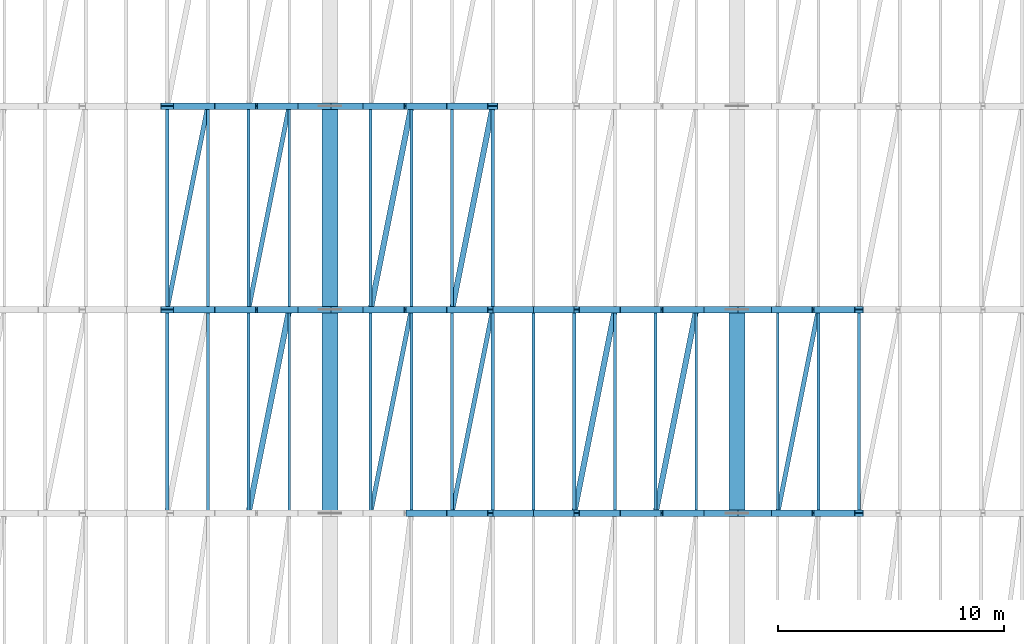
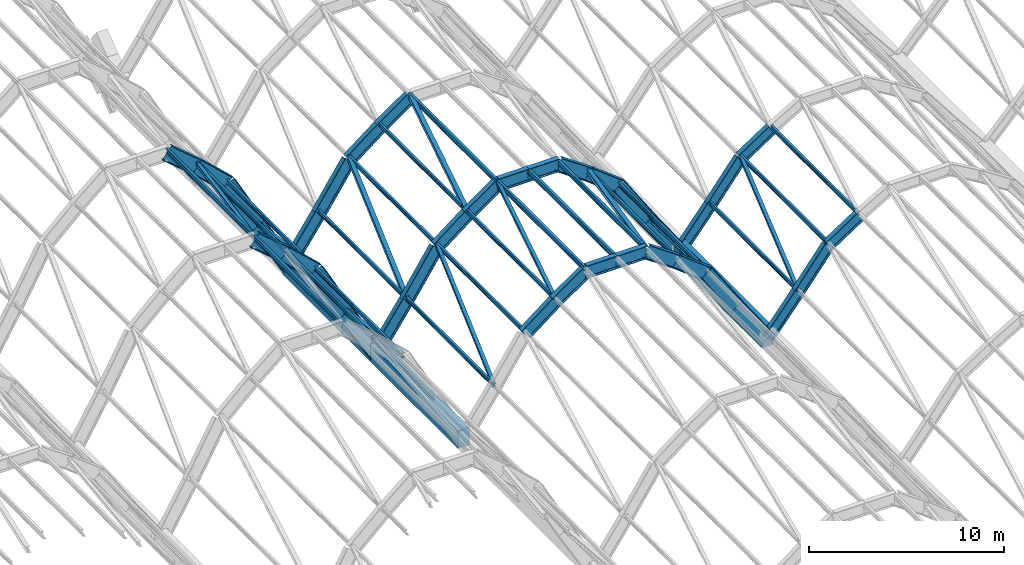
# One storey, part 23 of 86: 39 beams, 34 members.
"""IFC4 building model written with IfcOpenShell, lengths in metres."""

from ifc_helpers import new_model, si_unit, direction, frame, origin, origin_2d, place, context, subcontext, project, spatial, rectangle, i_section, extrude, material, material_profile, profile_set, type_object, element, save


model = new_model("IFC4")

# Units and contexts
model_context = context("Model", 3, precision=1e-05, world=origin(), true_north=direction((0.0, 1.0)))
body_context = subcontext(model_context, "Body", "Model", "MODEL_VIEW")
ifc_project = project(units=[si_unit("LENGTHUNIT", "METRE"), si_unit("AREAUNIT", "SQUARE_METRE"), si_unit("VOLUMEUNIT", "CUBIC_METRE"), si_unit("PLANEANGLEUNIT", "RADIAN"), si_unit("MASSUNIT", "GRAM", prefix="KILO")], contexts=[model_context])

# Site, building, storey
site_placement = place(None, origin())
site = spatial("IfcSite", under=ifc_project, at=site_placement, CompositionType="ELEMENT")
building_placement = place(site_placement, origin())
building = spatial("IfcBuilding", under=site, at=building_placement, Name="Chuanluo Vaults Station", CompositionType="ELEMENT")
storey_placement = place(building_placement, frame((0.0, 0.0, 14.39990234375)))
storey = spatial("IfcBuildingStorey", under=building, at=storey_placement, Name="L03", CompositionType="ELEMENT", Elevation=14.39990234375)

# Beams
ifc_material_1 = material(Name="Concrete C50", Category="concrete")
ifc_material_profile_1 = material_profile(ifc_material_1, rectangle(XDim=0.699951171875, YDim=1.10009765625, at=origin_2d()))
ifc_profile_set_1 = profile_set([ifc_material_profile_1], Name="Concrete C50")
beam_type_1 = type_object("IfcBeamType", Name="BM-VAL-RC", PredefinedType="USERDEFINED", material=ifc_profile_set_1)
for number, where, z_axis, x_axis, name in (
    (1, (72.0, 67.5, -0.7998046875), (0.0, 1.0, 0.0), (-1.0, 0.0, 0.0), "Vault springing valley beam X72-5"),
    (2, (72.0, 76.5, -0.7998046875), (0.0, 1.0, 0.0), (-1.0, 0.0, 0.0), "Vault springing valley beam X72-6"),
    (3, (90.0, 67.5, -0.7998046875), (0.0, 1.0, 0.0), (-1.0, 0.0, 0.0), "Vault springing valley beam X90-5"),
):
    element("IfcBeam", number, at=place(storey_placement, frame(where, z_axis=z_axis, x_axis=x_axis)), inside=storey, type_object=beam_type_1, Name=name, ObjectType="GIRDER", PredefinedType="USERDEFINED", context=body_context, shape_type="SweptSolid", body=[
        extrude(rectangle(XDim=0.699951171875, YDim=1.10009765625, at=origin_2d()), origin(), (0.0, 0.0, 1.0), 9.0),
    ])
ifc_material_2 = material(Name="Steel Q355C", Category="steel")
ifc_material_profile_2 = material_profile(ifc_material_2, i_section(OverallWidth=0.300048828125, OverallDepth=0.699951171875, WebThickness=0.012939453125, FlangeThickness=0.02392578125, FilletRadius=0.02392578125, at=origin_2d()))
ifc_profile_set_2 = profile_set([ifc_material_profile_2], Name="Steel Q355C")
beam_type_2 = type_object("IfcBeamType", Name="BM-VLT-700", PredefinedType="USERDEFINED", material=ifc_profile_set_2)
beam_1_placement = place(storey_placement, frame((90.0, 67.5, -0.7998046875), z_axis=(0.628190338877, 0.0, 0.778059700885), x_axis=(0.0, 1.0, 0.0)))
element("IfcBeam", 4, at=beam_1_placement, inside=storey, type_object=beam_type_2, Name="Vault V6 arch rib 5 chord 1", ObjectType="GIRDER", PredefinedType="USERDEFINED", context=body_context, shape_type="SweptSolid", body=[
    extrude(i_section(OverallWidth=0.300048828125, OverallDepth=0.699951171875, WebThickness=0.012939453125, FlangeThickness=0.02392578125, FilletRadius=0.02392578125, at=origin_2d()), origin(), (0.0, 0.0, 1.0), 2.865478515625),
])
beam_2_placement = place(storey_placement, frame((91.800048828125, 67.5, 1.4296875), z_axis=(0.613681275736, 0.0, 0.789553856182), x_axis=(0.0, 1.0, 0.0)))
element("IfcBeam", 5, at=beam_2_placement, inside=storey, type_object=beam_type_2, Name="Vault V6 arch rib 5 chord 2", ObjectType="GIRDER", PredefinedType="USERDEFINED", context=body_context, shape_type="SweptSolid", body=[
    extrude(i_section(OverallWidth=0.300048828125, OverallDepth=0.699951171875, WebThickness=0.012939453125, FlangeThickness=0.02392578125, FilletRadius=0.02392578125, at=origin_2d()), origin(), (0.0, 0.0, 1.0), 2.93310546875),
])
beam_3_placement = place(storey_placement, frame((93.60009765625, 67.5, 3.74560546875), z_axis=(0.836145448105, 0.0, 0.54850778446), x_axis=(0.0, 1.0, 0.0)))
element("IfcBeam", 6, at=beam_3_placement, inside=storey, type_object=beam_type_2, Name="Vault V6 arch rib 5 chord 3", ObjectType="GIRDER", PredefinedType="USERDEFINED", context=body_context, shape_type="SweptSolid", body=[
    extrude(i_section(OverallWidth=0.300048828125, OverallDepth=0.699951171875, WebThickness=0.012939453125, FlangeThickness=0.02392578125, FilletRadius=0.02392578125, at=origin_2d()), origin(), (0.0, 0.0, 1.0), 2.152587890625),
])
beam_4_placement = place(storey_placement, frame((90.0, 76.5, -0.7998046875), z_axis=(0.628190338877, 0.0, 0.778059700885), x_axis=(0.0, 1.0, 0.0)))
element("IfcBeam", 7, at=beam_4_placement, inside=storey, type_object=beam_type_2, Name="Vault V6 arch rib 6 chord 1", ObjectType="GIRDER", PredefinedType="USERDEFINED", context=body_context, shape_type="SweptSolid", body=[
    extrude(i_section(OverallWidth=0.300048828125, OverallDepth=0.699951171875, WebThickness=0.012939453125, FlangeThickness=0.02392578125, FilletRadius=0.02392578125, at=origin_2d()), origin(), (0.0, 0.0, 1.0), 2.865478515625),
])
beam_5_placement = place(storey_placement, frame((91.800048828125, 76.5, 1.4296875), z_axis=(0.613681275736, 0.0, 0.789553856182), x_axis=(0.0, 1.0, 0.0)))
element("IfcBeam", 8, at=beam_5_placement, inside=storey, type_object=beam_type_2, Name="Vault V6 arch rib 6 chord 2", ObjectType="GIRDER", PredefinedType="USERDEFINED", context=body_context, shape_type="SweptSolid", body=[
    extrude(i_section(OverallWidth=0.300048828125, OverallDepth=0.699951171875, WebThickness=0.012939453125, FlangeThickness=0.02392578125, FilletRadius=0.02392578125, at=origin_2d()), origin(), (0.0, 0.0, 1.0), 2.93310546875),
])
beam_6_placement = place(storey_placement, frame((93.60009765625, 76.5, 3.74560546875), z_axis=(0.836145448105, 0.0, 0.54850778446), x_axis=(0.0, 1.0, 0.0)))
element("IfcBeam", 9, at=beam_6_placement, inside=storey, type_object=beam_type_2, Name="Vault V6 arch rib 6 chord 3", ObjectType="GIRDER", PredefinedType="USERDEFINED", context=body_context, shape_type="SweptSolid", body=[
    extrude(i_section(OverallWidth=0.300048828125, OverallDepth=0.699951171875, WebThickness=0.012939453125, FlangeThickness=0.02392578125, FilletRadius=0.02392578125, at=origin_2d()), origin(), (0.0, 0.0, 1.0), 2.152587890625),
])
ifc_material_3 = material(Name="Steel Q355C", Category="steel")
ifc_material_profile_3 = material_profile(ifc_material_3, i_section(OverallWidth=0.300048828125, OverallDepth=0.800048828125, WebThickness=0.013916015625, FlangeThickness=0.02587890625, FilletRadius=0.02392578125, at=origin_2d()))
ifc_profile_set_3 = profile_set([ifc_material_profile_3], Name="Steel Q355C")
beam_type_3 = type_object("IfcBeamType", Name="BM-VLT-800", PredefinedType="USERDEFINED", material=ifc_profile_set_3)
beam_7_placement = place(storey_placement, frame((75.60009765625, 67.5, 4.482421875), z_axis=(0.790274889356, 0.0, 0.612752477965), x_axis=(0.0, 1.0, 0.0)))
element("IfcBeam", 10, at=beam_7_placement, inside=storey, type_object=beam_type_3, Name="Vault V5 arch rib 5 chord 3", ObjectType="GIRDER", PredefinedType="USERDEFINED", context=body_context, shape_type="SweptSolid", body=[
    extrude(i_section(OverallWidth=0.300048828125, OverallDepth=0.800048828125, WebThickness=0.013916015625, FlangeThickness=0.02587890625, FilletRadius=0.02392578125, at=origin_2d()), origin(), (0.0, 0.0, 1.0), 2.27734375),
])
beam_8_placement = place(storey_placement, frame((77.39990234375, 67.5, 5.8779296875), z_axis=(0.820907471123, 0.0, 0.571061226012), x_axis=(0.0, 1.0, 0.0)))
element("IfcBeam", 11, at=beam_8_placement, inside=storey, type_object=beam_type_3, Name="Vault V5 arch rib 5 chord 4", ObjectType="GIRDER", PredefinedType="USERDEFINED", context=body_context, shape_type="SweptSolid", body=[
    extrude(i_section(OverallWidth=0.300048828125, OverallDepth=0.800048828125, WebThickness=0.013916015625, FlangeThickness=0.02587890625, FilletRadius=0.02392578125, at=origin_2d()), origin(), (0.0, 0.0, 1.0), 2.19287109375),
])
for number, where, z_axis, x_axis, name in (
    (12, (79.199951171875, 67.5, 7.130126953125), (1.0, 0.0, 0.0), (0.0, 1.0, 0.0), "Vault V5 arch rib 5 chord 5"),
    (13, (81.0, 67.5, 7.130126953125), (1.0, 0.0, 0.0), (0.0, 1.0, 0.0), "Vault V5 arch rib 5 chord 6"),
):
    element("IfcBeam", number, at=place(storey_placement, frame(where, z_axis=z_axis, x_axis=x_axis)), inside=storey, type_object=beam_type_3, Name=name, ObjectType="GIRDER", PredefinedType="USERDEFINED", context=body_context, shape_type="SweptSolid", body=[
        extrude(i_section(OverallWidth=0.300048828125, OverallDepth=0.800048828125, WebThickness=0.013916015625, FlangeThickness=0.02587890625, FilletRadius=0.02392578125, at=origin_2d()), origin(), (0.0, 0.0, 1.0), 1.800048828125),
    ])
beam_9_placement = place(storey_placement, frame((82.800048828125, 67.5, 7.130126953125), z_axis=(0.820907471123, 0.0, -0.571061226012), x_axis=(0.0, 1.0, 0.0)))
element("IfcBeam", 14, at=beam_9_placement, inside=storey, type_object=beam_type_3, Name="Vault V5 arch rib 5 chord 7", ObjectType="GIRDER", PredefinedType="USERDEFINED", context=body_context, shape_type="SweptSolid", body=[
    extrude(i_section(OverallWidth=0.300048828125, OverallDepth=0.800048828125, WebThickness=0.013916015625, FlangeThickness=0.02587890625, FilletRadius=0.02392578125, at=origin_2d()), origin(), (0.0, 0.0, 1.0), 2.19287109375),
])
beam_10_placement = place(storey_placement, frame((84.60009765625, 67.5, 5.8779296875), z_axis=(0.790274889356, 0.0, -0.612752477965), x_axis=(0.0, 1.0, 0.0)))
element("IfcBeam", 15, at=beam_10_placement, inside=storey, type_object=beam_type_3, Name="Vault V5 arch rib 5 chord 8", ObjectType="GIRDER", PredefinedType="USERDEFINED", context=body_context, shape_type="SweptSolid", body=[
    extrude(i_section(OverallWidth=0.300048828125, OverallDepth=0.800048828125, WebThickness=0.013916015625, FlangeThickness=0.02587890625, FilletRadius=0.02392578125, at=origin_2d()), origin(), (0.0, 0.0, 1.0), 2.27734375),
])
beam_11_placement = place(storey_placement, frame((86.39990234375, 67.5, 4.482421875), z_axis=(0.550471867992, 0.0, -0.834853713263), x_axis=(0.0, 1.0, 0.0)))
element("IfcBeam", 16, at=beam_11_placement, inside=storey, type_object=beam_type_3, Name="Vault V5 arch rib 5 chord 9", ObjectType="GIRDER", PredefinedType="USERDEFINED", context=body_context, shape_type="SweptSolid", body=[
    extrude(i_section(OverallWidth=0.300048828125, OverallDepth=0.800048828125, WebThickness=0.013916015625, FlangeThickness=0.02587890625, FilletRadius=0.02392578125, at=origin_2d()), origin(), (0.0, 0.0, 1.0), 3.27001953125),
])
for number, where, z_axis, x_axis, name in (
    (17, (88.199951171875, 67.5, 1.75244140625), (0.568880934439, 0.0, -0.822419894234), (0.0, 1.0, 0.0), "Vault V5 arch rib 5 chord 10"),
    (18, (72.0, 76.5, -0.849853515625), (0.568880934439, 0.0, 0.822419894234), (0.0, 1.0, 0.0), "Vault V5 arch rib 6 chord 1"),
):
    element("IfcBeam", number, at=place(storey_placement, frame(where, z_axis=z_axis, x_axis=x_axis)), inside=storey, type_object=beam_type_3, Name=name, ObjectType="GIRDER", PredefinedType="USERDEFINED", context=body_context, shape_type="SweptSolid", body=[
        extrude(i_section(OverallWidth=0.300048828125, OverallDepth=0.800048828125, WebThickness=0.013916015625, FlangeThickness=0.02587890625, FilletRadius=0.02392578125, at=origin_2d()), origin(), (0.0, 0.0, 1.0), 3.164306640625),
    ])
beam_12_placement = place(storey_placement, frame((73.800048828125, 76.5, 1.75244140625), z_axis=(0.550471867992, 0.0, 0.834853713263), x_axis=(0.0, 1.0, 0.0)))
element("IfcBeam", 19, at=beam_12_placement, inside=storey, type_object=beam_type_3, Name="Vault V5 arch rib 6 chord 2", ObjectType="GIRDER", PredefinedType="USERDEFINED", context=body_context, shape_type="SweptSolid", body=[
    extrude(i_section(OverallWidth=0.300048828125, OverallDepth=0.800048828125, WebThickness=0.013916015625, FlangeThickness=0.02587890625, FilletRadius=0.02392578125, at=origin_2d()), origin(), (0.0, 0.0, 1.0), 3.27001953125),
])
beam_13_placement = place(storey_placement, frame((75.60009765625, 76.5, 4.482421875), z_axis=(0.790274889356, 0.0, 0.612752477965), x_axis=(0.0, 1.0, 0.0)))
element("IfcBeam", 20, at=beam_13_placement, inside=storey, type_object=beam_type_3, Name="Vault V5 arch rib 6 chord 3", ObjectType="GIRDER", PredefinedType="USERDEFINED", context=body_context, shape_type="SweptSolid", body=[
    extrude(i_section(OverallWidth=0.300048828125, OverallDepth=0.800048828125, WebThickness=0.013916015625, FlangeThickness=0.02587890625, FilletRadius=0.02392578125, at=origin_2d()), origin(), (0.0, 0.0, 1.0), 2.27734375),
])
beam_14_placement = place(storey_placement, frame((77.39990234375, 76.5, 5.8779296875), z_axis=(0.820907471123, 0.0, 0.571061226012), x_axis=(0.0, 1.0, 0.0)))
element("IfcBeam", 21, at=beam_14_placement, inside=storey, type_object=beam_type_3, Name="Vault V5 arch rib 6 chord 4", ObjectType="GIRDER", PredefinedType="USERDEFINED", context=body_context, shape_type="SweptSolid", body=[
    extrude(i_section(OverallWidth=0.300048828125, OverallDepth=0.800048828125, WebThickness=0.013916015625, FlangeThickness=0.02587890625, FilletRadius=0.02392578125, at=origin_2d()), origin(), (0.0, 0.0, 1.0), 2.19287109375),
])
for number, where, z_axis, x_axis, name in (
    (22, (79.199951171875, 76.5, 7.130126953125), (1.0, 0.0, 0.0), (0.0, 1.0, 0.0), "Vault V5 arch rib 6 chord 5"),
    (23, (81.0, 76.5, 7.130126953125), (1.0, 0.0, 0.0), (0.0, 1.0, 0.0), "Vault V5 arch rib 6 chord 6"),
):
    element("IfcBeam", number, at=place(storey_placement, frame(where, z_axis=z_axis, x_axis=x_axis)), inside=storey, type_object=beam_type_3, Name=name, ObjectType="GIRDER", PredefinedType="USERDEFINED", context=body_context, shape_type="SweptSolid", body=[
        extrude(i_section(OverallWidth=0.300048828125, OverallDepth=0.800048828125, WebThickness=0.013916015625, FlangeThickness=0.02587890625, FilletRadius=0.02392578125, at=origin_2d()), origin(), (0.0, 0.0, 1.0), 1.800048828125),
    ])
beam_15_placement = place(storey_placement, frame((82.800048828125, 76.5, 7.130126953125), z_axis=(0.820907471123, 0.0, -0.571061226012), x_axis=(0.0, 1.0, 0.0)))
element("IfcBeam", 24, at=beam_15_placement, inside=storey, type_object=beam_type_3, Name="Vault V5 arch rib 6 chord 7", ObjectType="GIRDER", PredefinedType="USERDEFINED", context=body_context, shape_type="SweptSolid", body=[
    extrude(i_section(OverallWidth=0.300048828125, OverallDepth=0.800048828125, WebThickness=0.013916015625, FlangeThickness=0.02587890625, FilletRadius=0.02392578125, at=origin_2d()), origin(), (0.0, 0.0, 1.0), 2.19287109375),
])
beam_16_placement = place(storey_placement, frame((84.60009765625, 76.5, 5.8779296875), z_axis=(0.790274889356, 0.0, -0.612752477965), x_axis=(0.0, 1.0, 0.0)))
element("IfcBeam", 25, at=beam_16_placement, inside=storey, type_object=beam_type_3, Name="Vault V5 arch rib 6 chord 8", ObjectType="GIRDER", PredefinedType="USERDEFINED", context=body_context, shape_type="SweptSolid", body=[
    extrude(i_section(OverallWidth=0.300048828125, OverallDepth=0.800048828125, WebThickness=0.013916015625, FlangeThickness=0.02587890625, FilletRadius=0.02392578125, at=origin_2d()), origin(), (0.0, 0.0, 1.0), 2.27734375),
])
beam_17_placement = place(storey_placement, frame((86.39990234375, 76.5, 4.482421875), z_axis=(0.550471867992, 0.0, -0.834853713263), x_axis=(0.0, 1.0, 0.0)))
element("IfcBeam", 26, at=beam_17_placement, inside=storey, type_object=beam_type_3, Name="Vault V5 arch rib 6 chord 9", ObjectType="GIRDER", PredefinedType="USERDEFINED", context=body_context, shape_type="SweptSolid", body=[
    extrude(i_section(OverallWidth=0.300048828125, OverallDepth=0.800048828125, WebThickness=0.013916015625, FlangeThickness=0.02587890625, FilletRadius=0.02392578125, at=origin_2d()), origin(), (0.0, 0.0, 1.0), 3.27001953125),
])
for number, where, z_axis, x_axis, name in (
    (27, (88.199951171875, 76.5, 1.75244140625), (0.568880934439, 0.0, -0.822419894234), (0.0, 1.0, 0.0), "Vault V5 arch rib 6 chord 10"),
    (28, (72.0, 85.5, -0.849853515625), (0.568880934439, 0.0, 0.822419894234), (0.0, 1.0, 0.0), "Vault V5 arch rib 7 chord 1"),
):
    element("IfcBeam", number, at=place(storey_placement, frame(where, z_axis=z_axis, x_axis=x_axis)), inside=storey, type_object=beam_type_3, Name=name, ObjectType="GIRDER", PredefinedType="USERDEFINED", context=body_context, shape_type="SweptSolid", body=[
        extrude(i_section(OverallWidth=0.300048828125, OverallDepth=0.800048828125, WebThickness=0.013916015625, FlangeThickness=0.02587890625, FilletRadius=0.02392578125, at=origin_2d()), origin(), (0.0, 0.0, 1.0), 3.164306640625),
    ])
beam_18_placement = place(storey_placement, frame((73.800048828125, 85.5, 1.75244140625), z_axis=(0.550471867992, 0.0, 0.834853713263), x_axis=(0.0, 1.0, 0.0)))
element("IfcBeam", 29, at=beam_18_placement, inside=storey, type_object=beam_type_3, Name="Vault V5 arch rib 7 chord 2", ObjectType="GIRDER", PredefinedType="USERDEFINED", context=body_context, shape_type="SweptSolid", body=[
    extrude(i_section(OverallWidth=0.300048828125, OverallDepth=0.800048828125, WebThickness=0.013916015625, FlangeThickness=0.02587890625, FilletRadius=0.02392578125, at=origin_2d()), origin(), (0.0, 0.0, 1.0), 3.27001953125),
])
beam_19_placement = place(storey_placement, frame((75.60009765625, 85.5, 4.482421875), z_axis=(0.790274889356, 0.0, 0.612752477965), x_axis=(0.0, 1.0, 0.0)))
element("IfcBeam", 30, at=beam_19_placement, inside=storey, type_object=beam_type_3, Name="Vault V5 arch rib 7 chord 3", ObjectType="GIRDER", PredefinedType="USERDEFINED", context=body_context, shape_type="SweptSolid", body=[
    extrude(i_section(OverallWidth=0.300048828125, OverallDepth=0.800048828125, WebThickness=0.013916015625, FlangeThickness=0.02587890625, FilletRadius=0.02392578125, at=origin_2d()), origin(), (0.0, 0.0, 1.0), 2.27734375),
])
beam_20_placement = place(storey_placement, frame((77.39990234375, 85.5, 5.8779296875), z_axis=(0.820907471123, 0.0, 0.571061226012), x_axis=(0.0, 1.0, 0.0)))
element("IfcBeam", 31, at=beam_20_placement, inside=storey, type_object=beam_type_3, Name="Vault V5 arch rib 7 chord 4", ObjectType="GIRDER", PredefinedType="USERDEFINED", context=body_context, shape_type="SweptSolid", body=[
    extrude(i_section(OverallWidth=0.300048828125, OverallDepth=0.800048828125, WebThickness=0.013916015625, FlangeThickness=0.02587890625, FilletRadius=0.02392578125, at=origin_2d()), origin(), (0.0, 0.0, 1.0), 2.19287109375),
])
ifc_material_4 = material(Name="Steel Q355C", Category="steel")
ifc_material_profile_4 = material_profile(ifc_material_4, i_section(OverallWidth=0.300048828125, OverallDepth=0.89990234375, WebThickness=0.01611328125, FlangeThickness=0.028076171875, FilletRadius=0.02392578125, at=origin_2d()))
ifc_profile_set_4 = profile_set([ifc_material_profile_4], Name="Steel Q355C")
beam_type_4 = type_object("IfcBeamType", Name="BM-VLT-900", PredefinedType="USERDEFINED", material=ifc_profile_set_4)
beam_21_placement = place(storey_placement, frame((64.800048828125, 76.5, 8.68017578125), z_axis=(0.76434097912, 0.0, -0.644812273176), x_axis=(0.0, 1.0, 0.0)))
element("IfcBeam", 32, at=beam_21_placement, inside=storey, type_object=beam_type_4, Name="Vault V4 arch rib 6 chord 7", ObjectType="GIRDER", PredefinedType="USERDEFINED", context=body_context, shape_type="SweptSolid", body=[
    extrude(i_section(OverallWidth=0.300048828125, OverallDepth=0.89990234375, WebThickness=0.01611328125, FlangeThickness=0.028076171875, FilletRadius=0.02392578125, at=origin_2d()), origin(), (0.0, 0.0, 1.0), 2.35498046875),
])
beam_22_placement = place(storey_placement, frame((66.60009765625, 76.5, 7.16162109375), z_axis=(0.730389392317, 0.0, -0.683030991676), x_axis=(0.0, 1.0, 0.0)))
element("IfcBeam", 33, at=beam_22_placement, inside=storey, type_object=beam_type_4, Name="Vault V4 arch rib 6 chord 8", ObjectType="GIRDER", PredefinedType="USERDEFINED", context=body_context, shape_type="SweptSolid", body=[
    extrude(i_section(OverallWidth=0.300048828125, OverallDepth=0.89990234375, WebThickness=0.01611328125, FlangeThickness=0.028076171875, FilletRadius=0.02392578125, at=origin_2d()), origin(), (0.0, 0.0, 1.0), 2.464111328125),
])
beam_23_placement = place(storey_placement, frame((68.39990234375, 76.5, 5.478515625), z_axis=(0.480856872349, 0.0, -0.876799103738), x_axis=(0.0, 1.0, 0.0)))
element("IfcBeam", 34, at=beam_23_placement, inside=storey, type_object=beam_type_4, Name="Vault V4 arch rib 6 chord 9", ObjectType="GIRDER", PredefinedType="USERDEFINED", context=body_context, shape_type="SweptSolid", body=[
    extrude(i_section(OverallWidth=0.300048828125, OverallDepth=0.89990234375, WebThickness=0.01611328125, FlangeThickness=0.028076171875, FilletRadius=0.02392578125, at=origin_2d()), origin(), (0.0, 0.0, 1.0), 3.743408203125),
])
beam_24_placement = place(storey_placement, frame((70.199951171875, 76.5, 2.1962890625), z_axis=(0.502607424266, 0.0, -0.864514763941), x_axis=(0.0, 1.0, 0.0)))
element("IfcBeam", 35, at=beam_24_placement, inside=storey, type_object=beam_type_4, Name="Vault V4 arch rib 6 chord 10", ObjectType="GIRDER", PredefinedType="USERDEFINED", context=body_context, shape_type="SweptSolid", body=[
    extrude(i_section(OverallWidth=0.300048828125, OverallDepth=0.89990234375, WebThickness=0.01611328125, FlangeThickness=0.028076171875, FilletRadius=0.02392578125, at=origin_2d()), origin(), (0.0, 0.0, 1.0), 3.58154296875),
])
beam_25_placement = place(storey_placement, frame((64.800048828125, 85.5, 8.68017578125), z_axis=(0.76434097912, 0.0, -0.644812273176), x_axis=(0.0, 1.0, 0.0)))
element("IfcBeam", 36, at=beam_25_placement, inside=storey, type_object=beam_type_4, Name="Vault V4 arch rib 7 chord 7", ObjectType="GIRDER", PredefinedType="USERDEFINED", context=body_context, shape_type="SweptSolid", body=[
    extrude(i_section(OverallWidth=0.300048828125, OverallDepth=0.89990234375, WebThickness=0.01611328125, FlangeThickness=0.028076171875, FilletRadius=0.02392578125, at=origin_2d()), origin(), (0.0, 0.0, 1.0), 2.35498046875),
])
beam_26_placement = place(storey_placement, frame((66.60009765625, 85.5, 7.16162109375), z_axis=(0.730389392317, 0.0, -0.683030991676), x_axis=(0.0, 1.0, 0.0)))
element("IfcBeam", 37, at=beam_26_placement, inside=storey, type_object=beam_type_4, Name="Vault V4 arch rib 7 chord 8", ObjectType="GIRDER", PredefinedType="USERDEFINED", context=body_context, shape_type="SweptSolid", body=[
    extrude(i_section(OverallWidth=0.300048828125, OverallDepth=0.89990234375, WebThickness=0.01611328125, FlangeThickness=0.028076171875, FilletRadius=0.02392578125, at=origin_2d()), origin(), (0.0, 0.0, 1.0), 2.464111328125),
])
beam_27_placement = place(storey_placement, frame((68.39990234375, 85.5, 5.478515625), z_axis=(0.480856872349, 0.0, -0.876799103738), x_axis=(0.0, 1.0, 0.0)))
element("IfcBeam", 38, at=beam_27_placement, inside=storey, type_object=beam_type_4, Name="Vault V4 arch rib 7 chord 9", ObjectType="GIRDER", PredefinedType="USERDEFINED", context=body_context, shape_type="SweptSolid", body=[
    extrude(i_section(OverallWidth=0.300048828125, OverallDepth=0.89990234375, WebThickness=0.01611328125, FlangeThickness=0.028076171875, FilletRadius=0.02392578125, at=origin_2d()), origin(), (0.0, 0.0, 1.0), 3.743408203125),
])
beam_28_placement = place(storey_placement, frame((70.199951171875, 85.5, 2.1962890625), z_axis=(0.502607424266, 0.0, -0.864514763941), x_axis=(0.0, 1.0, 0.0)))
element("IfcBeam", 39, at=beam_28_placement, inside=storey, type_object=beam_type_4, Name="Vault V4 arch rib 7 chord 10", ObjectType="GIRDER", PredefinedType="USERDEFINED", context=body_context, shape_type="SweptSolid", body=[
    extrude(i_section(OverallWidth=0.300048828125, OverallDepth=0.89990234375, WebThickness=0.01611328125, FlangeThickness=0.028076171875, FilletRadius=0.02392578125, at=origin_2d()), origin(), (0.0, 0.0, 1.0), 3.58154296875),
])

# Members
ifc_material_5 = material(Name="Steel Q355C", Category="steel")
ifc_material_profile_5 = material_profile(ifc_material_5, i_section(OverallWidth=0.125, OverallDepth=0.25, WebThickness=0.006103515625, FlangeThickness=0.009033203125, FilletRadius=0.011962890625, at=origin_2d()))
ifc_profile_set_5 = profile_set([ifc_material_profile_5], Name="Steel Q355C")
member_type_1 = type_object("IfcMemberType", Name="MEM-PUR-250", PredefinedType="PURLIN", material=ifc_profile_set_5)
for number, where, z_axis, x_axis, name in (
    (40, (66.60009765625, 67.5, 7.38720703125), (0.0, 1.0, 0.0), (-1.0, 0.0, 0.0), "Vault V4 purlin 5.7"),
    (41, (68.39990234375, 67.5, 5.642578125), (0.0, 1.0, 0.0), (-1.0, 0.0, 0.0), "Vault V4 purlin 5.8"),
    (42, (70.199951171875, 67.5, 2.3427734375), (0.0, 1.0, 0.0), (-1.0, 0.0, 0.0), "Vault V4 purlin 5.9"),
    (43, (66.60009765625, 76.5, 7.38720703125), (0.0, 1.0, 0.0), (-1.0, 0.0, 0.0), "Vault V4 purlin 6.7"),
    (44, (68.39990234375, 76.5, 5.642578125), (0.0, 1.0, 0.0), (-1.0, 0.0, 0.0), "Vault V4 purlin 6.8"),
    (45, (70.199951171875, 76.5, 2.3427734375), (0.0, 1.0, 0.0), (-1.0, 0.0, 0.0), "Vault V4 purlin 6.9"),
    (46, (73.800048828125, 67.5, 1.86962890625), (0.0, 1.0, 0.0), (-1.0, 0.0, 0.0), "Vault V5 purlin 5.1"),
    (47, (75.60009765625, 67.5, 4.619384765625), (0.0, 1.0, 0.0), (-1.0, 0.0, 0.0), "Vault V5 purlin 5.2"),
    (48, (77.39990234375, 67.5, 6.062744140625), (0.0, 1.0, 0.0), (-1.0, 0.0, 0.0), "Vault V5 purlin 5.3"),
    (49, (84.60009765625, 67.5, 6.062744140625), (0.0, 1.0, 0.0), (-1.0, 0.0, 0.0), "Vault V5 purlin 5.7"),
    (50, (86.39990234375, 67.5, 4.619384765625), (0.0, 1.0, 0.0), (-1.0, 0.0, 0.0), "Vault V5 purlin 5.8"),
    (51, (88.199951171875, 67.5, 1.86962890625), (0.0, 1.0, 0.0), (-1.0, 0.0, 0.0), "Vault V5 purlin 5.9"),
    (52, (73.800048828125, 76.5, 1.86962890625), (0.0, 1.0, 0.0), (-1.0, 0.0, 0.0), "Vault V5 purlin 6.1"),
    (53, (75.60009765625, 76.5, 4.619384765625), (0.0, 1.0, 0.0), (-1.0, 0.0, 0.0), "Vault V5 purlin 6.2"),
    (54, (77.39990234375, 76.5, 6.062744140625), (0.0, 1.0, 0.0), (-1.0, 0.0, 0.0), "Vault V5 purlin 6.3"),
    (55, (91.800048828125, 67.5, 1.5126953125), (0.0, 1.0, 0.0), (-1.0, 0.0, 0.0), "Vault V6 purlin 5.1"),
    (56, (93.60009765625, 67.5, 3.849853515625), (0.0, 1.0, 0.0), (-1.0, 0.0, 0.0), "Vault V6 purlin 5.2"),
    (57, (95.39990234375, 67.5, 5.068115234375), (0.0, 1.0, 0.0), (-1.0, 0.0, 0.0), "Vault V6 purlin 5.3"),
):
    element("IfcMember", number, at=place(storey_placement, frame(where, z_axis=z_axis, x_axis=x_axis)), inside=storey, type_object=member_type_1, Name=name, PredefinedType="PURLIN", context=body_context, shape_type="SweptSolid", body=[
        extrude(i_section(OverallWidth=0.125, OverallDepth=0.25, WebThickness=0.006103515625, FlangeThickness=0.009033203125, FilletRadius=0.011962890625, at=origin_2d()), origin(), (0.0, 0.0, 1.0), 9.0),
    ])
ifc_material_6 = material(Name="Steel Q355C", Category="steel")
ifc_material_profile_6 = material_profile(ifc_material_6, i_section(OverallWidth=0.14990234375, OverallDepth=0.300048828125, WebThickness=0.006591796875, FlangeThickness=0.009033203125, FilletRadius=0.012939453125, at=origin_2d()))
ifc_profile_set_6 = profile_set([ifc_material_profile_6], Name="Steel Q355C")
member_type_2 = type_object("IfcMemberType", Name="MEM-PUR-300", PredefinedType="PURLIN", material=ifc_profile_set_6)
for number, where, z_axis, x_axis, name in (
    (58, (64.800048828125, 67.5, 8.834228515625), (0.0, 1.0, 0.0), (-1.0, 0.0, 0.0), "Vault V4 purlin 5.6"),
    (59, (64.800048828125, 76.5, 8.834228515625), (0.0, 1.0, 0.0), (-1.0, 0.0, 0.0), "Vault V4 purlin 6.6"),
    (60, (79.199951171875, 67.5, 7.264404296875), (0.0, 1.0, 0.0), (-1.0, 0.0, 0.0), "Vault V5 purlin 5.4"),
    (61, (81.0, 67.5, 7.3720703125), (0.0, 1.0, 0.0), (-1.0, 0.0, 0.0), "Vault V5 purlin 5.5"),
    (62, (82.800048828125, 67.5, 7.264404296875), (0.0, 1.0, 0.0), (-1.0, 0.0, 0.0), "Vault V5 purlin 5.6"),
    (63, (79.199951171875, 76.5, 7.264404296875), (0.0, 1.0, 0.0), (-1.0, 0.0, 0.0), "Vault V5 purlin 6.4"),
):
    element("IfcMember", number, at=place(storey_placement, frame(where, z_axis=z_axis, x_axis=x_axis)), inside=storey, type_object=member_type_2, Name=name, PredefinedType="PURLIN", context=body_context, shape_type="SweptSolid", body=[
        extrude(i_section(OverallWidth=0.14990234375, OverallDepth=0.300048828125, WebThickness=0.006591796875, FlangeThickness=0.009033203125, FilletRadius=0.012939453125, at=origin_2d()), origin(), (0.0, 0.0, 1.0), 9.0),
    ])
ifc_material_7 = material(Name="Steel Q355C", Category="steel")
ifc_material_profile_7 = material_profile(ifc_material_7, i_section(OverallWidth=0.199951171875, OverallDepth=0.199951171875, WebThickness=0.008056640625, FlangeThickness=0.011962890625, FilletRadius=0.012939453125, at=origin_2d()))
ifc_profile_set_7 = profile_set([ifc_material_profile_7], Name="Steel Q355C")
member_type_3 = type_object("IfcMemberType", Name="MEM-VBR-200", PredefinedType="BRACE", material=ifc_profile_set_7)
member_1_placement = place(storey_placement, frame((64.800048828125, 76.5, 8.834228515625), z_axis=(0.193728375326, 0.968615601248, -0.155734176123), x_axis=(-0.980579652604, 0.196121250506, 0.0)))
element("IfcMember", 64, at=member_1_placement, inside=storey, type_object=member_type_3, Name="Vault V4 space-frame diagonal 6.6", PredefinedType="BRACE", context=body_context, shape_type="SweptSolid", body=[
    extrude(i_section(OverallWidth=0.199951171875, OverallDepth=0.199951171875, WebThickness=0.008056640625, FlangeThickness=0.011962890625, FilletRadius=0.012939453125, at=origin_2d()), origin(), (0.0, 0.0, 1.0), 9.29150390625),
])
member_2_placement = place(storey_placement, frame((68.39990234375, 76.5, 5.642578125), z_axis=(0.184555961681, 0.922754777078, -0.338323393202), x_axis=(-0.980579652604, 0.196121250506, 0.0)))
element("IfcMember", 65, at=member_2_placement, inside=storey, type_object=member_type_3, Name="Vault V4 space-frame diagonal 6.8", PredefinedType="BRACE", context=body_context, shape_type="SweptSolid", body=[
    extrude(i_section(OverallWidth=0.199951171875, OverallDepth=0.199951171875, WebThickness=0.008056640625, FlangeThickness=0.011962890625, FilletRadius=0.012939453125, at=origin_2d()), origin(), (0.0, 0.0, 1.0), 9.75341796875),
])
member_3_placement = place(storey_placement, frame((73.800048828125, 67.5, 1.86962890625), z_axis=(0.187871019476, 0.939329616435, 0.286991901853), x_axis=(-0.980579652604, 0.196121250506, 0.0)))
element("IfcMember", 66, at=member_3_placement, inside=storey, type_object=member_type_3, Name="Vault V5 space-frame diagonal 5.1", PredefinedType="BRACE", context=body_context, shape_type="SweptSolid", body=[
    extrude(i_section(OverallWidth=0.199951171875, OverallDepth=0.199951171875, WebThickness=0.008056640625, FlangeThickness=0.011962890625, FilletRadius=0.012939453125, at=origin_2d()), origin(), (0.0, 0.0, 1.0), 9.581298828125),
])
member_4_placement = place(storey_placement, frame((77.39990234375, 67.5, 6.062744140625), z_axis=(0.194461668086, 0.972281965593, 0.129816944299), x_axis=(-0.980579652604, 0.196121250506, 0.0)))
element("IfcMember", 67, at=member_4_placement, inside=storey, type_object=member_type_3, Name="Vault V5 space-frame diagonal 5.3", PredefinedType="BRACE", context=body_context, shape_type="SweptSolid", body=[
    extrude(i_section(OverallWidth=0.199951171875, OverallDepth=0.199951171875, WebThickness=0.008056640625, FlangeThickness=0.011962890625, FilletRadius=0.012939453125, at=origin_2d()), origin(), (0.0, 0.0, 1.0), 9.256591796875),
])
member_5_placement = place(storey_placement, frame((91.800048828125, 67.5, 1.5126953125), z_axis=(0.19005620389, 0.950255242126, 0.246766314911), x_axis=(-0.980579652604, 0.196121250506, 0.0)))
element("IfcMember", 68, at=member_5_placement, inside=storey, type_object=member_type_3, Name="Vault V6 space-frame diagonal 5.1", PredefinedType="BRACE", context=body_context, shape_type="SweptSolid", body=[
    extrude(i_section(OverallWidth=0.199951171875, OverallDepth=0.199951171875, WebThickness=0.008056640625, FlangeThickness=0.011962890625, FilletRadius=0.012939453125, at=origin_2d()), origin(), (0.0, 0.0, 1.0), 9.47119140625),
])
ifc_material_8 = material(Name="Steel Q355C", Category="steel")
ifc_material_profile_8 = material_profile(ifc_material_8, i_section(OverallWidth=0.25, OverallDepth=0.25, WebThickness=0.009033203125, FlangeThickness=0.013916015625, FilletRadius=0.01611328125, at=origin_2d()))
ifc_profile_set_8 = profile_set([ifc_material_profile_8], Name="Steel Q355C")
member_type_4 = type_object("IfcMemberType", Name="MEM-VBR-250", PredefinedType="BRACE", material=ifc_profile_set_8)
member_6_placement = place(storey_placement, frame((68.39990234375, 67.5, 5.642578125), z_axis=(0.184555961681, 0.922754777078, -0.338323393202), x_axis=(-0.980579652604, 0.196121250506, 0.0)))
element("IfcMember", 69, at=member_6_placement, inside=storey, type_object=member_type_4, Name="Vault V4 space-frame diagonal 5.8", PredefinedType="BRACE", context=body_context, shape_type="SweptSolid", body=[
    extrude(i_section(OverallWidth=0.25, OverallDepth=0.25, WebThickness=0.009033203125, FlangeThickness=0.013916015625, FilletRadius=0.01611328125, at=origin_2d()), origin(), (0.0, 0.0, 1.0), 9.75341796875),
])
member_7_placement = place(storey_placement, frame((82.800048828125, 67.5, 7.264404296875), z_axis=(0.194461668086, 0.972281965593, -0.129816944299), x_axis=(-0.980579652604, 0.196121250506, 0.0)))
element("IfcMember", 70, at=member_7_placement, inside=storey, type_object=member_type_4, Name="Vault V5 space-frame diagonal 5.6", PredefinedType="BRACE", context=body_context, shape_type="SweptSolid", body=[
    extrude(i_section(OverallWidth=0.25, OverallDepth=0.25, WebThickness=0.009033203125, FlangeThickness=0.013916015625, FilletRadius=0.01611328125, at=origin_2d()), origin(), (0.0, 0.0, 1.0), 9.256591796875),
])
for number, where, z_axis, x_axis, name in (
    (71, (86.39990234375, 67.5, 4.619384765625), (0.187871019476, 0.939329616435, -0.286991901853), (-0.980579652604, 0.196121250506, 0.0), "Vault V5 space-frame diagonal 5.8"),
    (72, (73.800048828125, 76.5, 1.86962890625), (0.187871019476, 0.939329616435, 0.286991901853), (-0.980579652604, 0.196121250506, 0.0), "Vault V5 space-frame diagonal 6.1"),
):
    element("IfcMember", number, at=place(storey_placement, frame(where, z_axis=z_axis, x_axis=x_axis)), inside=storey, type_object=member_type_4, Name=name, PredefinedType="BRACE", context=body_context, shape_type="SweptSolid", body=[
        extrude(i_section(OverallWidth=0.25, OverallDepth=0.25, WebThickness=0.009033203125, FlangeThickness=0.013916015625, FilletRadius=0.01611328125, at=origin_2d()), origin(), (0.0, 0.0, 1.0), 9.581298828125),
    ])
member_8_placement = place(storey_placement, frame((77.39990234375, 76.5, 6.062744140625), z_axis=(0.194461668086, 0.972281965593, 0.129816944299), x_axis=(-0.980579652604, 0.196121250506, 0.0)))
element("IfcMember", 73, at=member_8_placement, inside=storey, type_object=member_type_4, Name="Vault V5 space-frame diagonal 6.3", PredefinedType="BRACE", context=body_context, shape_type="SweptSolid", body=[
    extrude(i_section(OverallWidth=0.25, OverallDepth=0.25, WebThickness=0.009033203125, FlangeThickness=0.013916015625, FilletRadius=0.01611328125, at=origin_2d()), origin(), (0.0, 0.0, 1.0), 9.256591796875),
])

save(model, "model.ifc")
